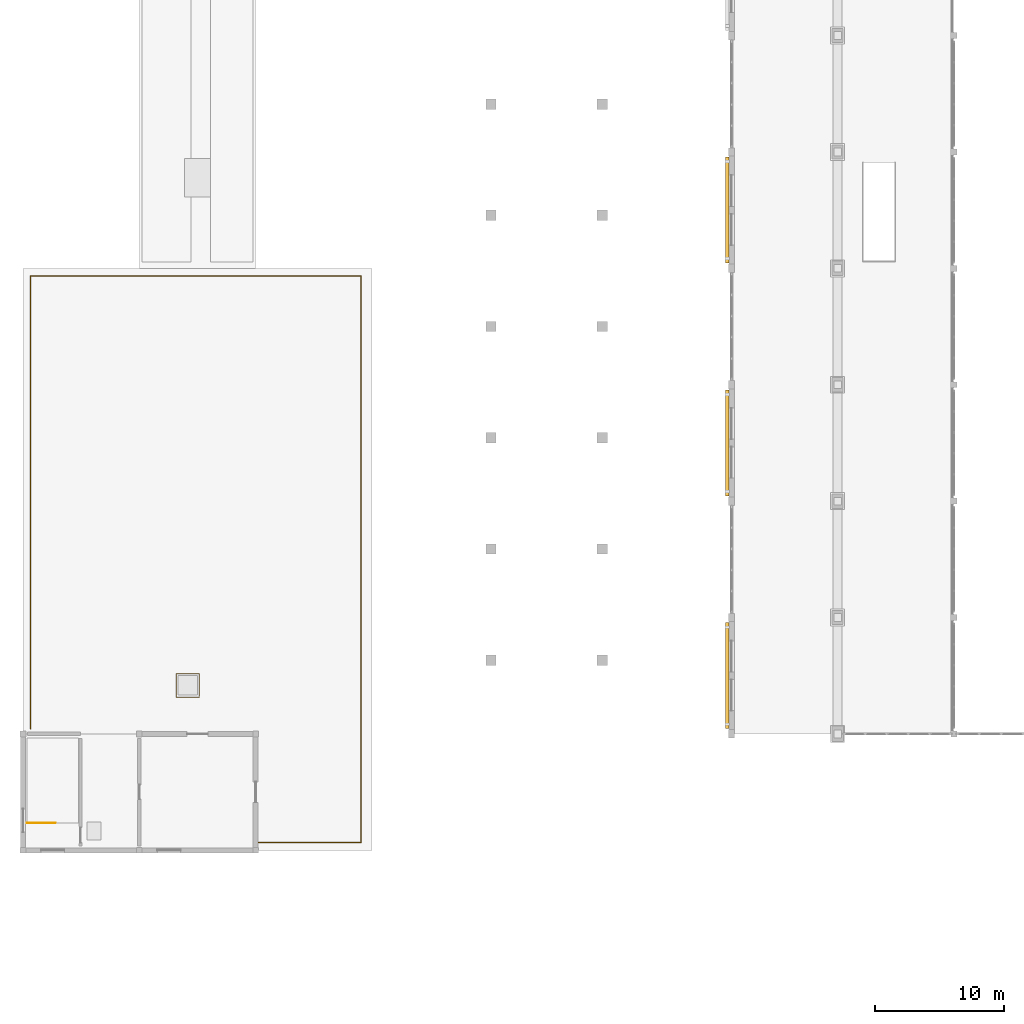
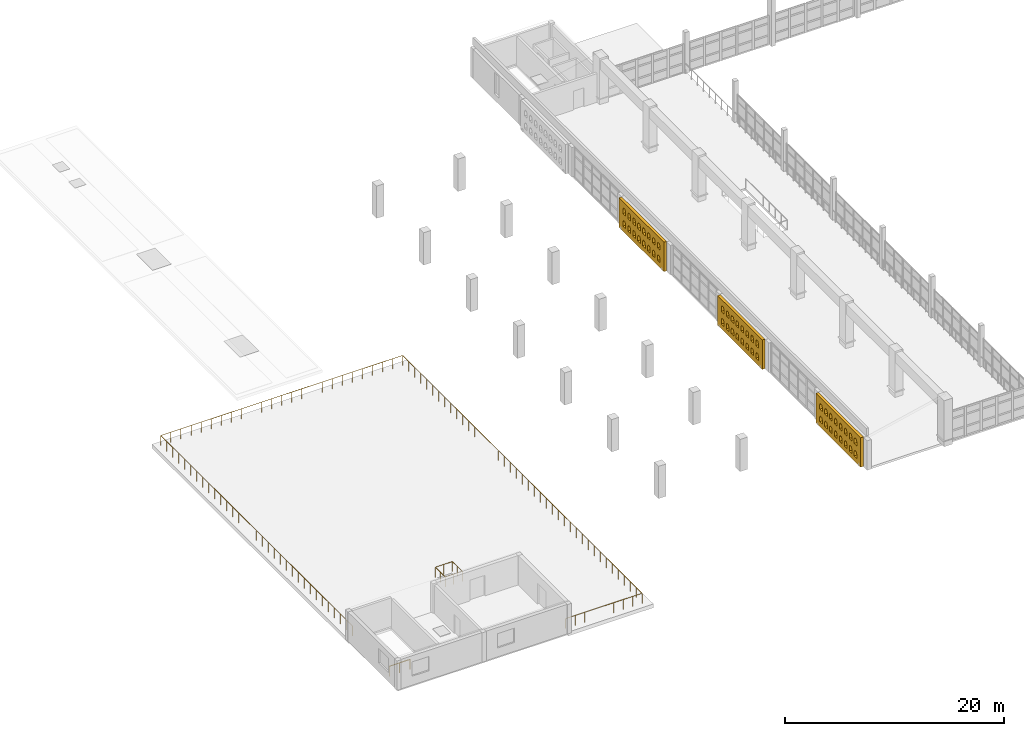
# One storey, part 74 of 80: 3 coverings, 3 railings.
"""IFC4 building model written with IfcOpenShell, lengths in metres."""

from ifc_helpers import new_model, si_unit, direction, frame, origin, origin_2d, place, context, subcontext, project, spatial, polyline, circle, outline, extrude, material, layer, layer_set, type_object, element, save


model = new_model("IFC4")

# Units and contexts
model_context = context("Model", 3, precision=1e-05, world=origin(), true_north=direction((0.0, 1.0)))
body_context = subcontext(model_context, "Body", "Model", "MODEL_VIEW")
ifc_project = project(units=[si_unit("LENGTHUNIT", "METRE"), si_unit("AREAUNIT", "SQUARE_METRE"), si_unit("VOLUMEUNIT", "CUBIC_METRE"), si_unit("PLANEANGLEUNIT", "RADIAN"), si_unit("MASSUNIT", "GRAM", prefix="KILO")], contexts=[model_context])

# Site, building, storey
site_placement = place(None, origin())
site = spatial("IfcSite", under=ifc_project, at=site_placement, CompositionType="ELEMENT")
building_placement = place(site_placement, origin())
building = spatial("IfcBuilding", under=site, at=building_placement, Name="Ornek Quay Market", CompositionType="ELEMENT")
storey_placement = place(building_placement, frame((0.0, 0.0, 8.39990234375)))
storey = spatial("IfcBuildingStorey", under=building, at=storey_placement, Name="L02", CompositionType="ELEMENT", Elevation=8.39990234375)

# Coverings
ifc_material_1 = material(Name="Frost-resistant facing clay brick M200 F100", Category="masonry")
ifc_layer = layer(ifc_material_1, 0.2900390625, Name="Frost-resistant facing clay brick M200 F100", Category="masonry")
ifc_layer_set = layer_set([ifc_layer], Name="Frost-resistant facing clay brick M200 F100")
covering_type = type_object("IfcCoveringType", Name="COV-BRICK-LATTICE-290", PredefinedType="CLADDING", material=ifc_layer_set)
covering_1_placement = place(storey_placement, frame((54.4599609375, 29.39990234375, 0.0), z_axis=(0.0, 0.0, 1.0), x_axis=(0.0, 1.0, 0.0)))
element("IfcCovering", 1, at=covering_1_placement, inside=storey, type_object=covering_type, Name="Arched brick lattice screen BLS-055", PredefinedType="CLADDING", context=body_context, shape_type="SweptSolid", body=[
    extrude(outline(polyline([(0.0, 0.0), (8.2001953125, 0.0), (8.2001953125, 3.2900390625), (0.0, 3.2900390625), (0.0, 0.0)]), holes=[polyline([(0.7099609375, 0.550048828125), (1.18994140625, 0.550048828125), (1.18994140625, 1.050048828125), (1.070068359375, 1.2578125), (0.830078125, 1.2578125), (0.7099609375, 1.050048828125), (0.7099609375, 0.550048828125)]), polyline([(0.7099609375, 1.949951171875), (1.18994140625, 1.949951171875), (1.18994140625, 2.449951171875), (1.070068359375, 2.65771484375), (0.830078125, 2.65771484375), (0.7099609375, 2.449951171875), (0.7099609375, 1.949951171875)]), polyline([(1.610107421875, 0.550048828125), (2.090087890625, 0.550048828125), (2.090087890625, 1.050048828125), (1.969970703125, 1.2578125), (1.72998046875, 1.2578125), (1.610107421875, 1.050048828125), (1.610107421875, 0.550048828125)]), polyline([(1.610107421875, 1.949951171875), (2.090087890625, 1.949951171875), (2.090087890625, 2.449951171875), (1.969970703125, 2.65771484375), (1.72998046875, 2.65771484375), (1.610107421875, 2.449951171875), (1.610107421875, 1.949951171875)]), polyline([(2.510009765625, 0.550048828125), (2.989990234375, 0.550048828125), (2.989990234375, 1.050048828125), (2.8701171875, 1.2578125), (2.6298828125, 1.2578125), (2.510009765625, 1.050048828125), (2.510009765625, 0.550048828125)]), polyline([(2.510009765625, 1.949951171875), (2.989990234375, 1.949951171875), (2.989990234375, 2.449951171875), (2.8701171875, 2.65771484375), (2.6298828125, 2.65771484375), (2.510009765625, 2.449951171875), (2.510009765625, 1.949951171875)]), polyline([(3.409912109375, 0.550048828125), (3.889892578125, 0.550048828125), (3.889892578125, 1.050048828125), (3.77001953125, 1.2578125), (3.530029296875, 1.2578125), (3.409912109375, 1.050048828125), (3.409912109375, 0.550048828125)]), polyline([(3.409912109375, 1.949951171875), (3.889892578125, 1.949951171875), (3.889892578125, 2.449951171875), (3.77001953125, 2.65771484375), (3.530029296875, 2.65771484375), (3.409912109375, 2.449951171875), (3.409912109375, 1.949951171875)]), polyline([(4.31005859375, 0.550048828125), (4.7900390625, 0.550048828125), (4.7900390625, 1.050048828125), (4.669921875, 1.2578125), (4.429931640625, 1.2578125), (4.31005859375, 1.050048828125), (4.31005859375, 0.550048828125)]), polyline([(4.31005859375, 1.949951171875), (4.7900390625, 1.949951171875), (4.7900390625, 2.449951171875), (4.669921875, 2.65771484375), (4.429931640625, 2.65771484375), (4.31005859375, 2.449951171875), (4.31005859375, 1.949951171875)]), polyline([(5.2099609375, 0.550048828125), (5.68994140625, 0.550048828125), (5.68994140625, 1.050048828125), (5.570068359375, 1.2578125), (5.330078125, 1.2578125), (5.2099609375, 1.050048828125), (5.2099609375, 0.550048828125)]), polyline([(5.2099609375, 1.949951171875), (5.68994140625, 1.949951171875), (5.68994140625, 2.449951171875), (5.570068359375, 2.65771484375), (5.330078125, 2.65771484375), (5.2099609375, 2.449951171875), (5.2099609375, 1.949951171875)]), polyline([(6.110107421875, 0.550048828125), (6.590087890625, 0.550048828125), (6.590087890625, 1.050048828125), (6.469970703125, 1.2578125), (6.22998046875, 1.2578125), (6.110107421875, 1.050048828125), (6.110107421875, 0.550048828125)]), polyline([(6.110107421875, 1.949951171875), (6.590087890625, 1.949951171875), (6.590087890625, 2.449951171875), (6.469970703125, 2.65771484375), (6.22998046875, 2.65771484375), (6.110107421875, 2.449951171875), (6.110107421875, 1.949951171875)]), polyline([(7.010009765625, 0.550048828125), (7.489990234375, 0.550048828125), (7.489990234375, 1.050048828125), (7.3701171875, 1.2578125), (7.1298828125, 1.2578125), (7.010009765625, 1.050048828125), (7.010009765625, 0.550048828125)]), polyline([(7.010009765625, 1.949951171875), (7.489990234375, 1.949951171875), (7.489990234375, 2.449951171875), (7.3701171875, 2.65771484375), (7.1298828125, 2.65771484375), (7.010009765625, 2.449951171875), (7.010009765625, 1.949951171875)])]), frame((0.0, 0.14501953125, 0.0), z_axis=(0.0, -1.0, 0.0), x_axis=(1.0, 0.0, 0.0)), (0.0, 0.0, 1.0), 0.2900390625),
])
covering_2_placement = place(storey_placement, frame((54.4599609375, 47.39990234375, 0.0), z_axis=(0.0, 0.0, 1.0), x_axis=(0.0, 1.0, 0.0)))
element("IfcCovering", 2, at=covering_2_placement, inside=storey, type_object=covering_type, Name="Arched brick lattice screen BLS-056", PredefinedType="CLADDING", context=body_context, shape_type="SweptSolid", body=[
    extrude(outline(polyline([(0.0, 0.0), (8.2001953125, 0.0), (8.2001953125, 3.2900390625), (0.0, 3.2900390625), (0.0, 0.0)]), holes=[polyline([(0.7099609375, 0.550048828125), (1.18994140625, 0.550048828125), (1.18994140625, 1.050048828125), (1.070068359375, 1.2578125), (0.830078125, 1.2578125), (0.7099609375, 1.050048828125), (0.7099609375, 0.550048828125)]), polyline([(0.7099609375, 1.949951171875), (1.18994140625, 1.949951171875), (1.18994140625, 2.449951171875), (1.070068359375, 2.65771484375), (0.830078125, 2.65771484375), (0.7099609375, 2.449951171875), (0.7099609375, 1.949951171875)]), polyline([(1.610107421875, 0.550048828125), (2.090087890625, 0.550048828125), (2.090087890625, 1.050048828125), (1.969970703125, 1.2578125), (1.72998046875, 1.2578125), (1.610107421875, 1.050048828125), (1.610107421875, 0.550048828125)]), polyline([(1.610107421875, 1.949951171875), (2.090087890625, 1.949951171875), (2.090087890625, 2.449951171875), (1.969970703125, 2.65771484375), (1.72998046875, 2.65771484375), (1.610107421875, 2.449951171875), (1.610107421875, 1.949951171875)]), polyline([(2.510009765625, 0.550048828125), (2.989990234375, 0.550048828125), (2.989990234375, 1.050048828125), (2.8701171875, 1.2578125), (2.6298828125, 1.2578125), (2.510009765625, 1.050048828125), (2.510009765625, 0.550048828125)]), polyline([(2.510009765625, 1.949951171875), (2.989990234375, 1.949951171875), (2.989990234375, 2.449951171875), (2.8701171875, 2.65771484375), (2.6298828125, 2.65771484375), (2.510009765625, 2.449951171875), (2.510009765625, 1.949951171875)]), polyline([(3.409912109375, 0.550048828125), (3.889892578125, 0.550048828125), (3.889892578125, 1.050048828125), (3.77001953125, 1.2578125), (3.530029296875, 1.2578125), (3.409912109375, 1.050048828125), (3.409912109375, 0.550048828125)]), polyline([(3.409912109375, 1.949951171875), (3.889892578125, 1.949951171875), (3.889892578125, 2.449951171875), (3.77001953125, 2.65771484375), (3.530029296875, 2.65771484375), (3.409912109375, 2.449951171875), (3.409912109375, 1.949951171875)]), polyline([(4.31005859375, 0.550048828125), (4.7900390625, 0.550048828125), (4.7900390625, 1.050048828125), (4.669921875, 1.2578125), (4.429931640625, 1.2578125), (4.31005859375, 1.050048828125), (4.31005859375, 0.550048828125)]), polyline([(4.31005859375, 1.949951171875), (4.7900390625, 1.949951171875), (4.7900390625, 2.449951171875), (4.669921875, 2.65771484375), (4.429931640625, 2.65771484375), (4.31005859375, 2.449951171875), (4.31005859375, 1.949951171875)]), polyline([(5.2099609375, 0.550048828125), (5.68994140625, 0.550048828125), (5.68994140625, 1.050048828125), (5.570068359375, 1.2578125), (5.330078125, 1.2578125), (5.2099609375, 1.050048828125), (5.2099609375, 0.550048828125)]), polyline([(5.2099609375, 1.949951171875), (5.68994140625, 1.949951171875), (5.68994140625, 2.449951171875), (5.570068359375, 2.65771484375), (5.330078125, 2.65771484375), (5.2099609375, 2.449951171875), (5.2099609375, 1.949951171875)]), polyline([(6.110107421875, 0.550048828125), (6.590087890625, 0.550048828125), (6.590087890625, 1.050048828125), (6.469970703125, 1.2578125), (6.22998046875, 1.2578125), (6.110107421875, 1.050048828125), (6.110107421875, 0.550048828125)]), polyline([(6.110107421875, 1.949951171875), (6.590087890625, 1.949951171875), (6.590087890625, 2.449951171875), (6.469970703125, 2.65771484375), (6.22998046875, 2.65771484375), (6.110107421875, 2.449951171875), (6.110107421875, 1.949951171875)]), polyline([(7.010009765625, 0.550048828125), (7.489990234375, 0.550048828125), (7.489990234375, 1.050048828125), (7.3701171875, 1.2578125), (7.1298828125, 1.2578125), (7.010009765625, 1.050048828125), (7.010009765625, 0.550048828125)]), polyline([(7.010009765625, 1.949951171875), (7.489990234375, 1.949951171875), (7.489990234375, 2.449951171875), (7.3701171875, 2.65771484375), (7.1298828125, 2.65771484375), (7.010009765625, 2.449951171875), (7.010009765625, 1.949951171875)])]), frame((0.0, 0.14501953125, 0.0), z_axis=(0.0, -1.0, 0.0), x_axis=(1.0, 0.0, 0.0)), (0.0, 0.0, 1.0), 0.2900390625),
])
covering_3_placement = place(storey_placement, frame((54.4599609375, 65.39990234375, 0.0), z_axis=(0.0, 0.0, 1.0), x_axis=(0.0, 1.0, 0.0)))
element("IfcCovering", 3, at=covering_3_placement, inside=storey, type_object=covering_type, Name="Arched brick lattice screen BLS-057", PredefinedType="CLADDING", context=body_context, shape_type="SweptSolid", body=[
    extrude(outline(polyline([(0.0, 0.0), (8.2001953125, 0.0), (8.2001953125, 3.2900390625), (0.0, 3.2900390625), (0.0, 0.0)]), holes=[polyline([(0.7099609375, 0.550048828125), (1.18994140625, 0.550048828125), (1.18994140625, 1.050048828125), (1.070068359375, 1.2578125), (0.830078125, 1.2578125), (0.7099609375, 1.050048828125), (0.7099609375, 0.550048828125)]), polyline([(0.7099609375, 1.949951171875), (1.18994140625, 1.949951171875), (1.18994140625, 2.449951171875), (1.070068359375, 2.65771484375), (0.830078125, 2.65771484375), (0.7099609375, 2.449951171875), (0.7099609375, 1.949951171875)]), polyline([(1.610107421875, 0.550048828125), (2.090087890625, 0.550048828125), (2.090087890625, 1.050048828125), (1.969970703125, 1.2578125), (1.72998046875, 1.2578125), (1.610107421875, 1.050048828125), (1.610107421875, 0.550048828125)]), polyline([(1.610107421875, 1.949951171875), (2.090087890625, 1.949951171875), (2.090087890625, 2.449951171875), (1.969970703125, 2.65771484375), (1.72998046875, 2.65771484375), (1.610107421875, 2.449951171875), (1.610107421875, 1.949951171875)]), polyline([(2.510009765625, 0.550048828125), (2.989990234375, 0.550048828125), (2.989990234375, 1.050048828125), (2.8701171875, 1.2578125), (2.6298828125, 1.2578125), (2.510009765625, 1.050048828125), (2.510009765625, 0.550048828125)]), polyline([(2.510009765625, 1.949951171875), (2.989990234375, 1.949951171875), (2.989990234375, 2.449951171875), (2.8701171875, 2.65771484375), (2.6298828125, 2.65771484375), (2.510009765625, 2.449951171875), (2.510009765625, 1.949951171875)]), polyline([(3.409912109375, 0.550048828125), (3.889892578125, 0.550048828125), (3.889892578125, 1.050048828125), (3.77001953125, 1.2578125), (3.530029296875, 1.2578125), (3.409912109375, 1.050048828125), (3.409912109375, 0.550048828125)]), polyline([(3.409912109375, 1.949951171875), (3.889892578125, 1.949951171875), (3.889892578125, 2.449951171875), (3.77001953125, 2.65771484375), (3.530029296875, 2.65771484375), (3.409912109375, 2.449951171875), (3.409912109375, 1.949951171875)]), polyline([(4.31005859375, 0.550048828125), (4.7900390625, 0.550048828125), (4.7900390625, 1.050048828125), (4.669921875, 1.2578125), (4.429931640625, 1.2578125), (4.31005859375, 1.050048828125), (4.31005859375, 0.550048828125)]), polyline([(4.31005859375, 1.949951171875), (4.7900390625, 1.949951171875), (4.7900390625, 2.449951171875), (4.669921875, 2.65771484375), (4.429931640625, 2.65771484375), (4.31005859375, 2.449951171875), (4.31005859375, 1.949951171875)]), polyline([(5.2099609375, 0.550048828125), (5.68994140625, 0.550048828125), (5.68994140625, 1.050048828125), (5.570068359375, 1.2578125), (5.330078125, 1.2578125), (5.2099609375, 1.050048828125), (5.2099609375, 0.550048828125)]), polyline([(5.2099609375, 1.949951171875), (5.68994140625, 1.949951171875), (5.68994140625, 2.449951171875), (5.570068359375, 2.65771484375), (5.330078125, 2.65771484375), (5.2099609375, 2.449951171875), (5.2099609375, 1.949951171875)]), polyline([(6.110107421875, 0.550048828125), (6.590087890625, 0.550048828125), (6.590087890625, 1.050048828125), (6.469970703125, 1.2578125), (6.22998046875, 1.2578125), (6.110107421875, 1.050048828125), (6.110107421875, 0.550048828125)]), polyline([(6.110107421875, 1.949951171875), (6.590087890625, 1.949951171875), (6.590087890625, 2.449951171875), (6.469970703125, 2.65771484375), (6.22998046875, 2.65771484375), (6.110107421875, 2.449951171875), (6.110107421875, 1.949951171875)]), polyline([(7.010009765625, 0.550048828125), (7.489990234375, 0.550048828125), (7.489990234375, 1.050048828125), (7.3701171875, 1.2578125), (7.1298828125, 1.2578125), (7.010009765625, 1.050048828125), (7.010009765625, 0.550048828125)]), polyline([(7.010009765625, 1.949951171875), (7.489990234375, 1.949951171875), (7.489990234375, 2.449951171875), (7.3701171875, 2.65771484375), (7.1298828125, 2.65771484375), (7.010009765625, 2.449951171875), (7.010009765625, 1.949951171875)])]), frame((0.0, 0.14501953125, 0.0), z_axis=(0.0, -1.0, 0.0), x_axis=(1.0, 0.0, 0.0)), (0.0, 0.0, 1.0), 0.2900390625),
])

# Railings
ifc_material_2 = material(Name="Brushed stainless steel 316", Category="steel")
railing_type_1 = type_object("IfcRailingType", Name="RL-GUARD-STAIR-1100", PredefinedType="GUARDRAIL", material=ifc_material_2)
railing_1_placement = place(storey_placement, frame((0.320068359375, 22.1201171875, 0.0)))
element("IfcRailing", 4, at=railing_1_placement, inside=storey, type_object=railing_type_1, Name="Railing GR-03-012", PredefinedType="GUARDRAIL", context=body_context, shape_type="SweptSolid", body=[
    extrude(circle(Radius=0.02392578125, at=origin_2d()), frame((0.0, 0.0, 1.09619140625), z_axis=(1.0, 0.0, 0.0), x_axis=(0.0, 1.0, 0.0)), (0.0, 0.0, 1.0), 2.179931640625),
    extrude(circle(Radius=0.02099609375, at=origin_2d()), origin(), (0.0, 0.0, 1.0), 1.068115234375),
    extrude(circle(Radius=0.02099609375, at=origin_2d()), frame((1.08984375, 0.0, 0.0)), (0.0, 0.0, 1.0), 1.068115234375),
    extrude(circle(Radius=0.02099609375, at=origin_2d()), frame((2.179931640625, 0.0, 0.0)), (0.0, 0.0, 1.0), 1.068115234375),
])
ifc_material_3 = material(Name="Anodised bronze steel and laminated safety glass", Category="steel")
railing_type_2 = type_object("IfcRailingType", Name="RL-GUARD-TER-1150", PredefinedType="BALUSTRADE", material=ifc_material_3)
railing_2_placement = place(storey_placement, frame((18.10009765625, 20.60009765625, 0.0)))
element("IfcRailing", 5, at=railing_2_placement, inside=storey, type_object=railing_type_2, Name="Terrace balustrade GT-02", PredefinedType="BALUSTRADE", context=body_context, shape_type="SweptSolid", body=[
    extrude(circle(Radius=0.02392578125, at=origin_2d()), frame((0.0, 0.0, 1.1259765625), z_axis=(1.0, 0.0, 0.0), x_axis=(0.0, 1.0, 0.0)), (0.0, 0.0, 1.0), 8.019775390625),
    extrude(circle(Radius=0.02392578125, at=origin_2d()), frame((8.0498046875, 0.030029296875, 1.1259765625), z_axis=(0.0, 1.0, 0.0), x_axis=(-1.0, 0.0, 0.0)), (0.0, 0.0, 1.0), 43.73974609375),
    extrude(circle(Radius=0.02392578125, at=origin_2d()), frame((8.019775390625, 43.7998046875, 1.1259765625), z_axis=(-1.0, 0.0, 0.0), x_axis=(0.0, -1.0, 0.0)), (0.0, 0.0, 1.0), 25.48974609375),
    extrude(circle(Radius=0.02392578125, at=origin_2d()), frame((-17.5, 43.769775390625, 1.1259765625), z_axis=(0.0, -1.0, 0.0), x_axis=(1.0, 0.0, 0.0)), (0.0, 0.0, 1.0), 34.969970703125),
    extrude(circle(Radius=0.02099609375, at=origin_2d()), origin(), (0.0, 0.0, 1.0), 1.097900390625),
    extrude(circle(Radius=0.02099609375, at=origin_2d()), frame((1.00634765625, 0.0, 0.0)), (0.0, 0.0, 1.0), 1.097900390625),
    extrude(circle(Radius=0.02099609375, at=origin_2d()), frame((2.012451171875, 0.0, 0.0)), (0.0, 0.0, 1.0), 1.097900390625),
    extrude(circle(Radius=0.02099609375, at=origin_2d()), frame((3.0185546875, 0.0, 0.0)), (0.0, 0.0, 1.0), 1.097900390625),
    extrude(circle(Radius=0.02099609375, at=origin_2d()), frame((4.02490234375, 0.0, 0.0)), (0.0, 0.0, 1.0), 1.097900390625),
    extrude(circle(Radius=0.02099609375, at=origin_2d()), frame((5.03125, 0.0, 0.0)), (0.0, 0.0, 1.0), 1.097900390625),
    extrude(circle(Radius=0.02099609375, at=origin_2d()), frame((6.037353515625, 0.0, 0.0)), (0.0, 0.0, 1.0), 1.097900390625),
    extrude(circle(Radius=0.02099609375, at=origin_2d()), frame((7.04345703125, 0.0, 0.0)), (0.0, 0.0, 1.0), 1.097900390625),
    extrude(circle(Radius=0.02099609375, at=origin_2d()), frame((8.0498046875, 0.0, 0.0)), (0.0, 0.0, 1.0), 1.097900390625),
    extrude(circle(Radius=0.02099609375, at=origin_2d()), frame((8.0498046875, 1.094970703125, 0.0)), (0.0, 0.0, 1.0), 1.097900390625),
    extrude(circle(Radius=0.02099609375, at=origin_2d()), frame((8.0498046875, 2.18994140625, 0.0)), (0.0, 0.0, 1.0), 1.097900390625),
    extrude(circle(Radius=0.02099609375, at=origin_2d()), frame((8.0498046875, 3.284912109375, 0.0)), (0.0, 0.0, 1.0), 1.097900390625),
    extrude(circle(Radius=0.02099609375, at=origin_2d()), frame((8.0498046875, 4.3798828125, 0.0)), (0.0, 0.0, 1.0), 1.097900390625),
    extrude(circle(Radius=0.02099609375, at=origin_2d()), frame((8.0498046875, 5.47509765625, 0.0)), (0.0, 0.0, 1.0), 1.097900390625),
    extrude(circle(Radius=0.02099609375, at=origin_2d()), frame((8.0498046875, 6.570068359375, 0.0)), (0.0, 0.0, 1.0), 1.097900390625),
    extrude(circle(Radius=0.02099609375, at=origin_2d()), frame((8.0498046875, 7.6650390625, 0.0)), (0.0, 0.0, 1.0), 1.097900390625),
    extrude(circle(Radius=0.02099609375, at=origin_2d()), frame((8.0498046875, 8.760009765625, 0.0)), (0.0, 0.0, 1.0), 1.097900390625),
    extrude(circle(Radius=0.02099609375, at=origin_2d()), frame((8.0498046875, 9.85498046875, 0.0)), (0.0, 0.0, 1.0), 1.097900390625),
    extrude(circle(Radius=0.02099609375, at=origin_2d()), frame((8.0498046875, 10.949951171875, 0.0)), (0.0, 0.0, 1.0), 1.097900390625),
    extrude(circle(Radius=0.02099609375, at=origin_2d()), frame((8.0498046875, 12.044921875, 0.0)), (0.0, 0.0, 1.0), 1.097900390625),
    extrude(circle(Radius=0.02099609375, at=origin_2d()), frame((8.0498046875, 13.139892578125, 0.0)), (0.0, 0.0, 1.0), 1.097900390625),
    extrude(circle(Radius=0.02099609375, at=origin_2d()), frame((8.0498046875, 14.23486328125, 0.0)), (0.0, 0.0, 1.0), 1.097900390625),
    extrude(circle(Radius=0.02099609375, at=origin_2d()), frame((8.0498046875, 15.329833984375, 0.0)), (0.0, 0.0, 1.0), 1.097900390625),
    extrude(circle(Radius=0.02099609375, at=origin_2d()), frame((8.0498046875, 16.4248046875, 0.0)), (0.0, 0.0, 1.0), 1.097900390625),
    extrude(circle(Radius=0.02099609375, at=origin_2d()), frame((8.0498046875, 17.52001953125, 0.0)), (0.0, 0.0, 1.0), 1.097900390625),
    extrude(circle(Radius=0.02099609375, at=origin_2d()), frame((8.0498046875, 18.614990234375, 0.0)), (0.0, 0.0, 1.0), 1.097900390625),
    extrude(circle(Radius=0.02099609375, at=origin_2d()), frame((8.0498046875, 19.7099609375, 0.0)), (0.0, 0.0, 1.0), 1.097900390625),
    extrude(circle(Radius=0.02099609375, at=origin_2d()), frame((8.0498046875, 20.804931640625, 0.0)), (0.0, 0.0, 1.0), 1.097900390625),
    extrude(circle(Radius=0.02099609375, at=origin_2d()), frame((8.0498046875, 21.89990234375, 0.0)), (0.0, 0.0, 1.0), 1.097900390625),
    extrude(circle(Radius=0.02099609375, at=origin_2d()), frame((8.0498046875, 22.994873046875, 0.0)), (0.0, 0.0, 1.0), 1.097900390625),
    extrude(circle(Radius=0.02099609375, at=origin_2d()), frame((8.0498046875, 24.08984375, 0.0)), (0.0, 0.0, 1.0), 1.097900390625),
    extrude(circle(Radius=0.02099609375, at=origin_2d()), frame((8.0498046875, 25.184814453125, 0.0)), (0.0, 0.0, 1.0), 1.097900390625),
    extrude(circle(Radius=0.02099609375, at=origin_2d()), frame((8.0498046875, 26.27978515625, 0.0)), (0.0, 0.0, 1.0), 1.097900390625),
    extrude(circle(Radius=0.02099609375, at=origin_2d()), frame((8.0498046875, 27.375, 0.0)), (0.0, 0.0, 1.0), 1.097900390625),
    extrude(circle(Radius=0.02099609375, at=origin_2d()), frame((8.0498046875, 28.469970703125, 0.0)), (0.0, 0.0, 1.0), 1.097900390625),
    extrude(circle(Radius=0.02099609375, at=origin_2d()), frame((8.0498046875, 29.56494140625, 0.0)), (0.0, 0.0, 1.0), 1.097900390625),
    extrude(circle(Radius=0.02099609375, at=origin_2d()), frame((8.0498046875, 30.659912109375, 0.0)), (0.0, 0.0, 1.0), 1.097900390625),
    extrude(circle(Radius=0.02099609375, at=origin_2d()), frame((8.0498046875, 31.7548828125, 0.0)), (0.0, 0.0, 1.0), 1.097900390625),
    extrude(circle(Radius=0.02099609375, at=origin_2d()), frame((8.0498046875, 32.849853515625, 0.0)), (0.0, 0.0, 1.0), 1.097900390625),
    extrude(circle(Radius=0.02099609375, at=origin_2d()), frame((8.0498046875, 33.94482421875, 0.0)), (0.0, 0.0, 1.0), 1.097900390625),
    extrude(circle(Radius=0.02099609375, at=origin_2d()), frame((8.0498046875, 35.039794921875, 0.0)), (0.0, 0.0, 1.0), 1.097900390625),
    extrude(circle(Radius=0.02099609375, at=origin_2d()), frame((8.0498046875, 36.134765625, 0.0)), (0.0, 0.0, 1.0), 1.097900390625),
    extrude(circle(Radius=0.02099609375, at=origin_2d()), frame((8.0498046875, 37.229736328125, 0.0)), (0.0, 0.0, 1.0), 1.097900390625),
    extrude(circle(Radius=0.02099609375, at=origin_2d()), frame((8.0498046875, 38.32470703125, 0.0)), (0.0, 0.0, 1.0), 1.097900390625),
    extrude(circle(Radius=0.02099609375, at=origin_2d()), frame((8.0498046875, 39.419921875, 0.0)), (0.0, 0.0, 1.0), 1.097900390625),
    extrude(circle(Radius=0.02099609375, at=origin_2d()), frame((8.0498046875, 40.514892578125, 0.0)), (0.0, 0.0, 1.0), 1.097900390625),
    extrude(circle(Radius=0.02099609375, at=origin_2d()), frame((8.0498046875, 41.60986328125, 0.0)), (0.0, 0.0, 1.0), 1.097900390625),
    extrude(circle(Radius=0.02099609375, at=origin_2d()), frame((8.0498046875, 42.704833984375, 0.0)), (0.0, 0.0, 1.0), 1.097900390625),
    extrude(circle(Radius=0.02099609375, at=origin_2d()), frame((8.0498046875, 43.7998046875, 0.0)), (0.0, 0.0, 1.0), 1.097900390625),
    extrude(circle(Radius=0.02099609375, at=origin_2d()), frame((6.9853515625, 43.7998046875, 0.0)), (0.0, 0.0, 1.0), 1.097900390625),
    extrude(circle(Radius=0.02099609375, at=origin_2d()), frame((5.920654296875, 43.7998046875, 0.0)), (0.0, 0.0, 1.0), 1.097900390625),
    extrude(circle(Radius=0.02099609375, at=origin_2d()), frame((4.85595703125, 43.7998046875, 0.0)), (0.0, 0.0, 1.0), 1.097900390625),
    extrude(circle(Radius=0.02099609375, at=origin_2d()), frame((3.79150390625, 43.7998046875, 0.0)), (0.0, 0.0, 1.0), 1.097900390625),
    extrude(circle(Radius=0.02099609375, at=origin_2d()), frame((2.72705078125, 43.7998046875, 0.0)), (0.0, 0.0, 1.0), 1.097900390625),
    extrude(circle(Radius=0.02099609375, at=origin_2d()), frame((1.662353515625, 43.7998046875, 0.0)), (0.0, 0.0, 1.0), 1.097900390625),
    extrude(circle(Radius=0.02099609375, at=origin_2d()), frame((0.59765625, 43.7998046875, 0.0)), (0.0, 0.0, 1.0), 1.097900390625),
    extrude(circle(Radius=0.02099609375, at=origin_2d()), frame((-0.466796875, 43.7998046875, 0.0)), (0.0, 0.0, 1.0), 1.097900390625),
    extrude(circle(Radius=0.02099609375, at=origin_2d()), frame((-1.53125, 43.7998046875, 0.0)), (0.0, 0.0, 1.0), 1.097900390625),
    extrude(circle(Radius=0.02099609375, at=origin_2d()), frame((-2.595947265625, 43.7998046875, 0.0)), (0.0, 0.0, 1.0), 1.097900390625),
    extrude(circle(Radius=0.02099609375, at=origin_2d()), frame((-3.66064453125, 43.7998046875, 0.0)), (0.0, 0.0, 1.0), 1.097900390625),
    extrude(circle(Radius=0.02099609375, at=origin_2d()), frame((-4.72509765625, 43.7998046875, 0.0)), (0.0, 0.0, 1.0), 1.097900390625),
    extrude(circle(Radius=0.02099609375, at=origin_2d()), frame((-5.78955078125, 43.7998046875, 0.0)), (0.0, 0.0, 1.0), 1.097900390625),
    extrude(circle(Radius=0.02099609375, at=origin_2d()), frame((-6.854248046875, 43.7998046875, 0.0)), (0.0, 0.0, 1.0), 1.097900390625),
    extrude(circle(Radius=0.02099609375, at=origin_2d()), frame((-7.9189453125, 43.7998046875, 0.0)), (0.0, 0.0, 1.0), 1.097900390625),
    extrude(circle(Radius=0.02099609375, at=origin_2d()), frame((-8.9833984375, 43.7998046875, 0.0)), (0.0, 0.0, 1.0), 1.097900390625),
    extrude(circle(Radius=0.02099609375, at=origin_2d()), frame((-10.0478515625, 43.7998046875, 0.0)), (0.0, 0.0, 1.0), 1.097900390625),
    extrude(circle(Radius=0.02099609375, at=origin_2d()), frame((-11.112548828125, 43.7998046875, 0.0)), (0.0, 0.0, 1.0), 1.097900390625),
    extrude(circle(Radius=0.02099609375, at=origin_2d()), frame((-12.17724609375, 43.7998046875, 0.0)), (0.0, 0.0, 1.0), 1.097900390625),
    extrude(circle(Radius=0.02099609375, at=origin_2d()), frame((-13.24169921875, 43.7998046875, 0.0)), (0.0, 0.0, 1.0), 1.097900390625),
    extrude(circle(Radius=0.02099609375, at=origin_2d()), frame((-14.30615234375, 43.7998046875, 0.0)), (0.0, 0.0, 1.0), 1.097900390625),
    extrude(circle(Radius=0.02099609375, at=origin_2d()), frame((-15.370849609375, 43.7998046875, 0.0)), (0.0, 0.0, 1.0), 1.097900390625),
    extrude(circle(Radius=0.02099609375, at=origin_2d()), frame((-16.435546875, 43.7998046875, 0.0)), (0.0, 0.0, 1.0), 1.097900390625),
    extrude(circle(Radius=0.02099609375, at=origin_2d()), frame((-17.5, 43.7998046875, 0.0)), (0.0, 0.0, 1.0), 1.097900390625),
    extrude(circle(Radius=0.02099609375, at=origin_2d()), frame((-17.5, 42.7060546875, 0.0)), (0.0, 0.0, 1.0), 1.097900390625),
    extrude(circle(Radius=0.02099609375, at=origin_2d()), frame((-17.5, 41.6123046875, 0.0)), (0.0, 0.0, 1.0), 1.097900390625),
    extrude(circle(Radius=0.02099609375, at=origin_2d()), frame((-17.5, 40.5185546875, 0.0)), (0.0, 0.0, 1.0), 1.097900390625),
    extrude(circle(Radius=0.02099609375, at=origin_2d()), frame((-17.5, 39.4248046875, 0.0)), (0.0, 0.0, 1.0), 1.097900390625),
    extrude(circle(Radius=0.02099609375, at=origin_2d()), frame((-17.5, 38.3310546875, 0.0)), (0.0, 0.0, 1.0), 1.097900390625),
    extrude(circle(Radius=0.02099609375, at=origin_2d()), frame((-17.5, 37.2373046875, 0.0)), (0.0, 0.0, 1.0), 1.097900390625),
    extrude(circle(Radius=0.02099609375, at=origin_2d()), frame((-17.5, 36.1435546875, 0.0)), (0.0, 0.0, 1.0), 1.097900390625),
    extrude(circle(Radius=0.02099609375, at=origin_2d()), frame((-17.5, 35.0498046875, 0.0)), (0.0, 0.0, 1.0), 1.097900390625),
    extrude(circle(Radius=0.02099609375, at=origin_2d()), frame((-17.5, 33.9560546875, 0.0)), (0.0, 0.0, 1.0), 1.097900390625),
    extrude(circle(Radius=0.02099609375, at=origin_2d()), frame((-17.5, 32.8623046875, 0.0)), (0.0, 0.0, 1.0), 1.097900390625),
    extrude(circle(Radius=0.02099609375, at=origin_2d()), frame((-17.5, 31.7685546875, 0.0)), (0.0, 0.0, 1.0), 1.097900390625),
    extrude(circle(Radius=0.02099609375, at=origin_2d()), frame((-17.5, 30.6748046875, 0.0)), (0.0, 0.0, 1.0), 1.097900390625),
    extrude(circle(Radius=0.02099609375, at=origin_2d()), frame((-17.5, 29.5810546875, 0.0)), (0.0, 0.0, 1.0), 1.097900390625),
    extrude(circle(Radius=0.02099609375, at=origin_2d()), frame((-17.5, 28.4873046875, 0.0)), (0.0, 0.0, 1.0), 1.097900390625),
    extrude(circle(Radius=0.02099609375, at=origin_2d()), frame((-17.5, 27.3935546875, 0.0)), (0.0, 0.0, 1.0), 1.097900390625),
    extrude(circle(Radius=0.02099609375, at=origin_2d()), frame((-17.5, 26.2998046875, 0.0)), (0.0, 0.0, 1.0), 1.097900390625),
    extrude(circle(Radius=0.02099609375, at=origin_2d()), frame((-17.5, 25.2060546875, 0.0)), (0.0, 0.0, 1.0), 1.097900390625),
    extrude(circle(Radius=0.02099609375, at=origin_2d()), frame((-17.5, 24.1123046875, 0.0)), (0.0, 0.0, 1.0), 1.097900390625),
    extrude(circle(Radius=0.02099609375, at=origin_2d()), frame((-17.5, 23.0185546875, 0.0)), (0.0, 0.0, 1.0), 1.097900390625),
    extrude(circle(Radius=0.02099609375, at=origin_2d()), frame((-17.5, 21.9248046875, 0.0)), (0.0, 0.0, 1.0), 1.097900390625),
    extrude(circle(Radius=0.02099609375, at=origin_2d()), frame((-17.5, 20.8310546875, 0.0)), (0.0, 0.0, 1.0), 1.097900390625),
    extrude(circle(Radius=0.02099609375, at=origin_2d()), frame((-17.5, 19.7373046875, 0.0)), (0.0, 0.0, 1.0), 1.097900390625),
    extrude(circle(Radius=0.02099609375, at=origin_2d()), frame((-17.5, 18.6435546875, 0.0)), (0.0, 0.0, 1.0), 1.097900390625),
    extrude(circle(Radius=0.02099609375, at=origin_2d()), frame((-17.5, 17.5498046875, 0.0)), (0.0, 0.0, 1.0), 1.097900390625),
    extrude(circle(Radius=0.02099609375, at=origin_2d()), frame((-17.5, 16.4560546875, 0.0)), (0.0, 0.0, 1.0), 1.097900390625),
    extrude(circle(Radius=0.02099609375, at=origin_2d()), frame((-17.5, 15.3623046875, 0.0)), (0.0, 0.0, 1.0), 1.097900390625),
    extrude(circle(Radius=0.02099609375, at=origin_2d()), frame((-17.5, 14.2685546875, 0.0)), (0.0, 0.0, 1.0), 1.097900390625),
    extrude(circle(Radius=0.02099609375, at=origin_2d()), frame((-17.5, 13.1748046875, 0.0)), (0.0, 0.0, 1.0), 1.097900390625),
    extrude(circle(Radius=0.02099609375, at=origin_2d()), frame((-17.5, 12.0810546875, 0.0)), (0.0, 0.0, 1.0), 1.097900390625),
    extrude(circle(Radius=0.02099609375, at=origin_2d()), frame((-17.5, 10.9873046875, 0.0)), (0.0, 0.0, 1.0), 1.097900390625),
    extrude(circle(Radius=0.02099609375, at=origin_2d()), frame((-17.5, 9.8935546875, 0.0)), (0.0, 0.0, 1.0), 1.097900390625),
    extrude(circle(Radius=0.02099609375, at=origin_2d()), frame((-17.5, 8.7998046875, 0.0)), (0.0, 0.0, 1.0), 1.097900390625),
])
railing_3_placement = place(storey_placement, frame((11.85009765625, 31.85009765625, 0.0)))
element("IfcRailing", 6, at=railing_3_placement, inside=storey, type_object=railing_type_2, Name="Terrace balustrade GT-04", PredefinedType="BALUSTRADE", context=body_context, shape_type="SweptSolid", body=[
    extrude(circle(Radius=0.02392578125, at=origin_2d()), frame((0.0, 0.0, 1.1259765625), z_axis=(1.0, 0.0, 0.0), x_axis=(0.0, 1.0, 0.0)), (0.0, 0.0, 1.0), 1.769775390625),
    extrude(circle(Radius=0.02392578125, at=origin_2d()), frame((1.7998046875, 0.030029296875, 1.1259765625), z_axis=(0.0, 1.0, 0.0), x_axis=(-1.0, 0.0, 0.0)), (0.0, 0.0, 1.0), 1.73974609375),
    extrude(circle(Radius=0.02392578125, at=origin_2d()), frame((1.769775390625, 1.7998046875, 1.1259765625), z_axis=(-1.0, 0.0, 0.0), x_axis=(0.0, -1.0, 0.0)), (0.0, 0.0, 1.0), 1.73974609375),
    extrude(circle(Radius=0.02392578125, at=origin_2d()), frame((0.0, 1.769775390625, 1.1259765625), z_axis=(0.0, -1.0, 0.0), x_axis=(1.0, 0.0, 0.0)), (0.0, 0.0, 1.0), 1.769775390625),
    extrude(circle(Radius=0.02099609375, at=origin_2d()), origin(), (0.0, 0.0, 1.0), 1.097900390625),
    extrude(circle(Radius=0.02099609375, at=origin_2d()), frame((0.89990234375, 0.0, 0.0)), (0.0, 0.0, 1.0), 1.097900390625),
    extrude(circle(Radius=0.02099609375, at=origin_2d()), frame((1.7998046875, 0.0, 0.0)), (0.0, 0.0, 1.0), 1.097900390625),
    extrude(circle(Radius=0.02099609375, at=origin_2d()), frame((1.7998046875, 0.89990234375, 0.0)), (0.0, 0.0, 1.0), 1.097900390625),
    extrude(circle(Radius=0.02099609375, at=origin_2d()), frame((1.7998046875, 1.7998046875, 0.0)), (0.0, 0.0, 1.0), 1.097900390625),
    extrude(circle(Radius=0.02099609375, at=origin_2d()), frame((0.89990234375, 1.7998046875, 0.0)), (0.0, 0.0, 1.0), 1.097900390625),
    extrude(circle(Radius=0.02099609375, at=origin_2d()), frame((0.0, 1.7998046875, 0.0)), (0.0, 0.0, 1.0), 1.097900390625),
    extrude(circle(Radius=0.02099609375, at=origin_2d()), frame((0.0, 0.89990234375, 0.0)), (0.0, 0.0, 1.0), 1.097900390625),
])

save(model, "model.ifc")
